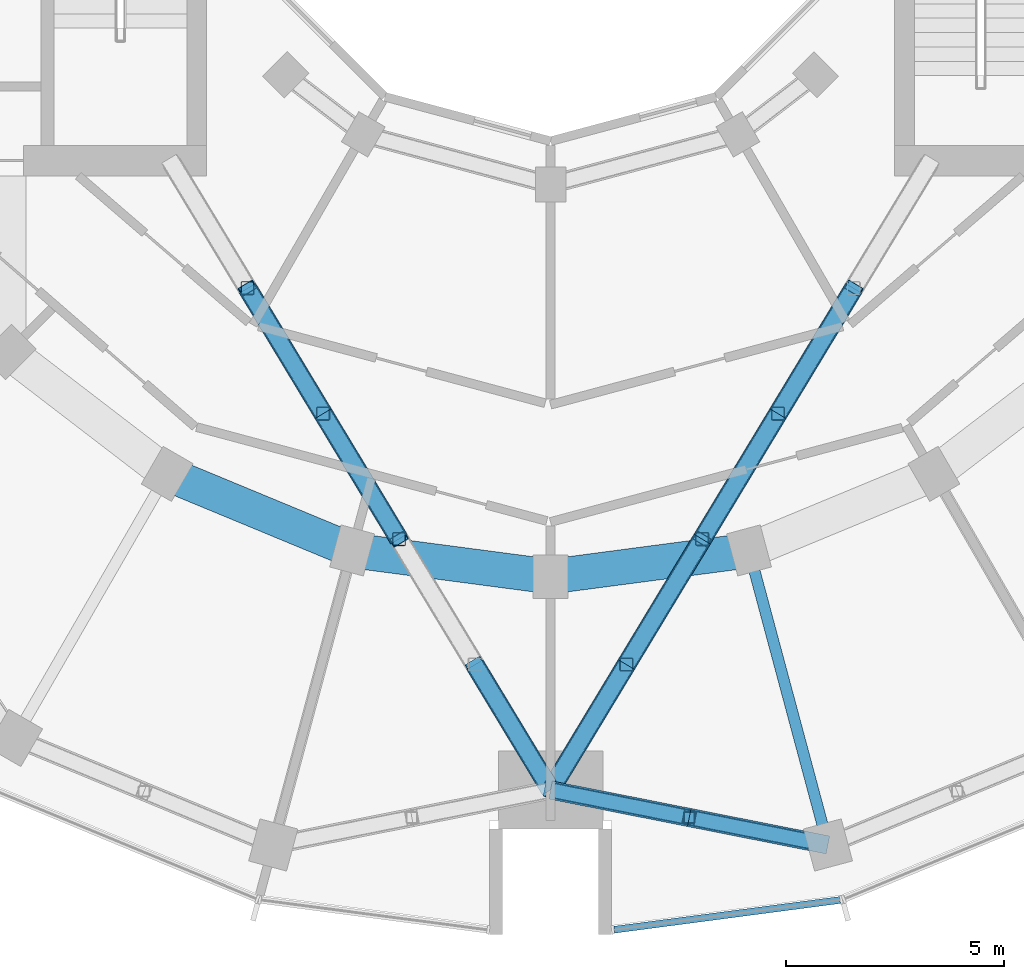
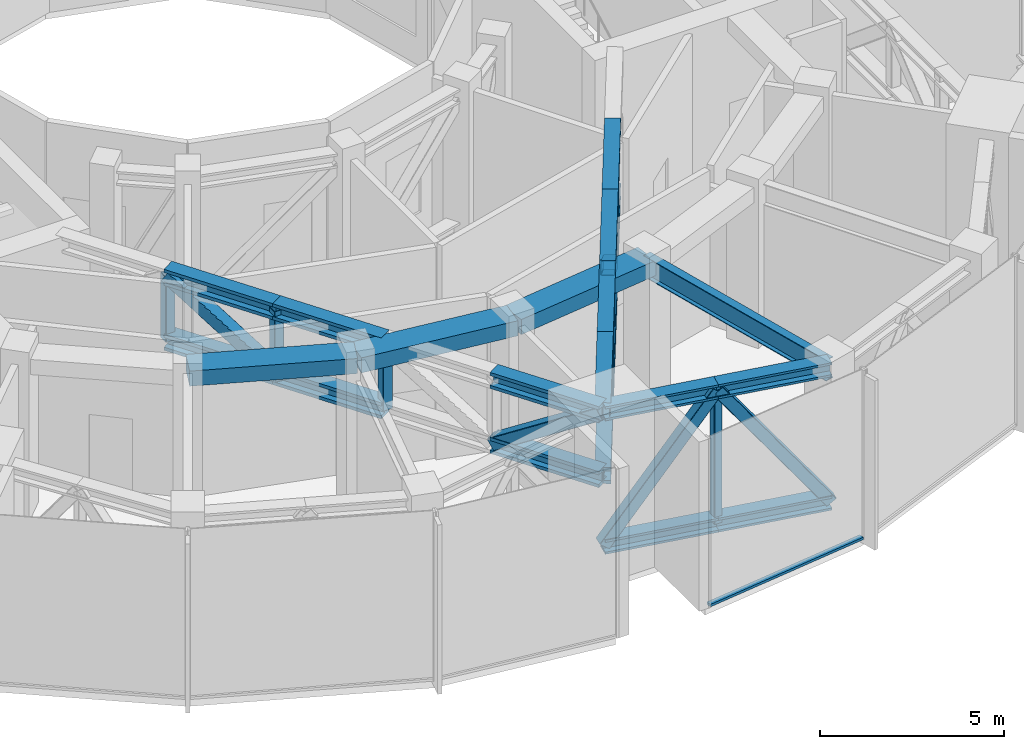
# One storey, part 3 of 18: 35 members, 4 beams, 1 element without a shape of its own.
"""IFC4 building model written with IfcOpenShell, lengths in metres."""

import ifcopenshell
import ifcopenshell.guid

model = None  # the IFC model being written
_history = None  # IfcOwnerHistory: only IFC2X3 demands one
_inside = {}  # id of a spatial element -> (the spatial element, [elements in it])
_under = {}  # id of a project, library or spatial element -> (it, [spatial elements below it])
_declared = {}  # id of a project -> (the project, [libraries it declares])
_typed = {}  # id of a type object -> (the type object, [elements of that type])
_made_of = {}  # id of a material, layer set ... -> (it, [elements and type objects made of it])


def new_model(schema):
    """Start an empty IFC model of exactly this schema.

    Asked for "IFC4X3", IfcOpenShell would pick the latest addendum, in which some entities
    have other attributes; the version numbers below select the first issue.
    IFC2X3 requires an IfcOwnerHistory on every rooted entity: one is made here for all.
    """
    global model, _history
    if schema == "IFC4X3":
        model = ifcopenshell.file(schema_version=(4, 3, 0, 0))
    else:
        model = ifcopenshell.file(schema=schema)
    _inside.clear()
    _under.clear()
    _declared.clear()
    _typed.clear()
    _made_of.clear()
    _history = None
    if model.schema == "IFC2X3":
        org = make("IfcOrganization", Name="unknown")
        user = make(
            "IfcPersonAndOrganization",
            ThePerson=make("IfcPerson", FamilyName="unknown"),
            TheOrganization=org,
        )
        app = make(
            "IfcApplication",
            ApplicationDeveloper=org,
            Version="unknown",
            ApplicationFullName="unknown",
            ApplicationIdentifier="unknown",
        )
        _history = make(
            "IfcOwnerHistory",
            OwningUser=user,
            OwningApplication=app,
            ChangeAction="ADDED",
            CreationDate=0,
        )
    return model


def make(cls, **values):
    """One entity of the class cls with the attributes given. An attribute that is None is left unset."""
    return model.create_entity(
        cls, **{name: value for name, value in values.items() if value is not None}
    )


def rooted(cls, **values):
    """An entity with a GlobalId (a new one), such as an element, a storey or a relation."""
    return make(cls, GlobalId=ifcopenshell.guid.new(), OwnerHistory=_history, **values)


def si_unit(unit_type, name, prefix=None):
    """IfcSIUnit, for example si_unit("LENGTHUNIT", "METRE", prefix="MILLI")."""
    return make("IfcSIUnit", UnitType=unit_type, Prefix=prefix, Name=name)


def assignment(units):
    """IfcUnitAssignment: the units of a project."""
    return None if units is None else make("IfcUnitAssignment", Units=units)


def point(xyz):
    """IfcCartesianPoint."""
    return None if xyz is None else make("IfcCartesianPoint", Coordinates=xyz)


def direction(xyz):
    """IfcDirection."""
    return None if xyz is None else make("IfcDirection", DirectionRatios=xyz)


def frame(location, z_axis=None, x_axis=None):
    """IfcAxis2Placement3D, a coordinate frame: its origin and axes. An axis left out is left unset."""
    return make(
        "IfcAxis2Placement3D",
        Location=point(location),
        Axis=direction(z_axis),
        RefDirection=direction(x_axis),
    )


def frame_2d(location, x_axis=None):
    """IfcAxis2Placement2D, a coordinate frame in the plane: its origin and x axis."""
    return make(
        "IfcAxis2Placement2D", Location=point(location), RefDirection=direction(x_axis)
    )


def origin():
    """The frame at (0, 0, 0) with its axes left unset."""
    return frame((0.0, 0.0, 0.0))


def origin_2d():
    """The frame at (0, 0) in the plane with its x axis left unset."""
    return frame_2d((0.0, 0.0))


def place(relative_to, where):
    """IfcLocalPlacement: puts the frame where relative to a parent placement (None: the world)."""
    return make(
        "IfcLocalPlacement", PlacementRelTo=relative_to, RelativePlacement=where
    )


def context(
    kind, dimensions, precision=None, world=None, true_north=None, identifier=None
):
    """IfcGeometricRepresentationContext, for example the 3D "Model" context."""
    return make(
        "IfcGeometricRepresentationContext",
        ContextIdentifier=identifier,
        ContextType=kind,
        CoordinateSpaceDimension=dimensions,
        Precision=precision,
        WorldCoordinateSystem=world,
        TrueNorth=true_north,
    )


def subcontext(parent, identifier, kind, view, scale=None):
    """IfcGeometricRepresentationSubContext, for example "Body" below "Model"."""
    return make(
        "IfcGeometricRepresentationSubContext",
        ContextIdentifier=identifier,
        ContextType=kind,
        ParentContext=parent,
        TargetScale=scale,
        TargetView=view,
    )


def project(units=None, contexts=None):
    """IfcProject with its units and contexts."""
    return rooted(
        "IfcProject",
        Name="project",
        RepresentationContexts=contexts,
        UnitsInContext=assignment(units),
    )


def spatial(cls, under=None, at=None, **own):
    """A site, building, storey or space (cls), placed at a placement, below another one or the project."""
    s = rooted(cls, ObjectPlacement=at, **own)
    if under is not None:
        _under.setdefault(under.id(), (under, []))[1].append(s)
    return s


def profile(cls, at=None, kind="AREA", **sizes):
    """A parametric profile (cls). Its sizes go by their IFC names, for example OverallWidth=200.0."""
    return make(cls, ProfileType=kind, Position=at, **sizes)


def rectangle(**sizes):
    """IfcRectangleProfileDef."""
    return profile("IfcRectangleProfileDef", **sizes)


def hollow_rectangle(**sizes):
    """IfcRectangleHollowProfileDef."""
    return profile("IfcRectangleHollowProfileDef", **sizes)


def i_section(**sizes):
    """IfcIShapeProfileDef."""
    return profile("IfcIShapeProfileDef", **sizes)


def extrude(swept, where, along, depth):
    """IfcExtrudedAreaSolid: the profile swept, set in the frame where, extruded along a direction by depth."""
    return make(
        "IfcExtrudedAreaSolid",
        SweptArea=swept,
        Position=where,
        ExtrudedDirection=direction(along),
        Depth=depth,
    )


def shape(context_of_items, identifier, shape_type, items):
    """IfcShapeRepresentation: the items that make up one representation, for example the "Body"."""
    return make(
        "IfcShapeRepresentation",
        ContextOfItems=context_of_items,
        RepresentationIdentifier=identifier,
        RepresentationType=shape_type,
        Items=items,
    )


def material(Name=None, Category=None):
    """IfcMaterial."""
    return make("IfcMaterial", Name=Name, Category=Category)


def layer(
    of_material, thickness, ventilated=None, Name=None, Category=None, Priority=None
):
    """IfcMaterialLayer: one layer of a wall or slab, of a material (None: an air gap)."""
    return make(
        "IfcMaterialLayer",
        Material=of_material,
        LayerThickness=thickness,
        IsVentilated=ventilated,
        Name=Name,
        Category=Category,
        Priority=Priority,
    )


def layer_set(layers, Name=None):
    """IfcMaterialLayerSet."""
    return make("IfcMaterialLayerSet", MaterialLayers=layers, LayerSetName=Name)


def material_profile(
    of_material, cross_section, Name=None, Category=None, Priority=None
):
    """IfcMaterialProfile: a cross section and its material."""
    return make(
        "IfcMaterialProfile",
        Name=Name,
        Material=of_material,
        Profile=cross_section,
        Priority=Priority,
        Category=Category,
    )


def profile_set(profiles, Name=None, composite=None):
    """IfcMaterialProfileSet."""
    return make(
        "IfcMaterialProfileSet",
        Name=Name,
        MaterialProfiles=profiles,
        CompositeProfile=composite,
    )


def made_of(thing, what):
    """Note that an element or type object is made of a material, layer set ...; save() writes the relation."""
    if what is not None:
        _made_of.setdefault(what.id(), (what, []))[1].append(thing)
    return thing


def type_object(cls, material=None, **own):
    """A type object (cls), such as IfcWallType, which elements share."""
    return made_of(rooted(cls, **own), material)


def element(
    cls,
    number,
    at=None,
    inside=None,
    cuts=None,
    type_object=None,
    material=None,
    context=None,
    identifier="Body",
    shape_type=None,
    held_by="IfcProductDefinitionShape",
    body=None,
    shapes=None,
    **own,
):
    """One element of the class cls, such as IfcWall. Its Tag is "e" and its number.

    at: its placement. inside: the storey or other place that contains it. cuts: it is an
    opening in that element (IfcRelVoidsElement). A single representation is given by context,
    identifier, shape_type and body (its items); several are given by shapes. held_by: the class
    of the entity that holds the representations. save() writes the other relations.
    """
    e = rooted(cls, Tag="e%d" % number, ObjectPlacement=at, **own)
    if body is not None:
        shapes = [shape(context, identifier, shape_type, body)]
    if shapes is not None:
        e.Representation = make(held_by, Representations=shapes)
    if inside is not None:
        _inside.setdefault(inside.id(), (inside, []))[1].append(e)
    if cuts is not None:
        rooted(
            "IfcRelVoidsElement", RelatingBuildingElement=cuts, RelatedOpeningElement=e
        )
    if type_object is not None:
        _typed.setdefault(type_object.id(), (type_object, []))[1].append(e)
    return made_of(e, material)


def aggregate(whole, parts):
    """IfcRelAggregates: a whole, such as a stair, and the parts it consists of."""
    return rooted("IfcRelAggregates", RelatingObject=whole, RelatedObjects=parts)


def save(model, path):
    """Write the relations noted so far, then the file.

    IfcRelAggregates (storeys below a building ...), IfcRelContainedInSpatialStructure (elements
    in a storey), IfcRelDefinesByType, IfcRelAssociatesMaterial and IfcRelDeclares: one each for
    every whole, place, type object, material and project.
    """
    for whole, parts in _under.values():
        aggregate(whole, parts)
    for where, things in _inside.values():
        rooted(
            "IfcRelContainedInSpatialStructure",
            RelatedElements=things,
            RelatingStructure=where,
        )
    for kind, things in _typed.values():
        rooted("IfcRelDefinesByType", RelatedObjects=things, RelatingType=kind)
    for what, things in _made_of.values():
        rooted("IfcRelAssociatesMaterial", RelatedObjects=things, RelatingMaterial=what)
    for by, libraries in _declared.values():
        rooted("IfcRelDeclares", RelatingContext=by, RelatedDefinitions=libraries)
    model.write(path)


model = new_model("IFC4")

# Units and contexts
model_context = context("Model", 3, precision=1e-05, world=origin(), true_north=direction((0.0, 1.0)))
body_context = subcontext(model_context, "Body", "Model", "MODEL_VIEW")
ifc_project = project(units=[si_unit("LENGTHUNIT", "METRE"), si_unit("AREAUNIT", "SQUARE_METRE"), si_unit("VOLUMEUNIT", "CUBIC_METRE"), si_unit("PLANEANGLEUNIT", "RADIAN"), si_unit("MASSUNIT", "GRAM", prefix="KILO")], contexts=[model_context])

# Site, building, storey
site_placement = place(None, origin())
site = spatial("IfcSite", under=ifc_project, at=site_placement, CompositionType="ELEMENT")
building_placement = place(site_placement, origin())
building = spatial("IfcBuilding", under=site, at=building_placement, Name="Torre Brocal", CompositionType="ELEMENT")
storey_placement = place(building_placement, frame((0.0, 0.0, 109.0)))
storey = spatial("IfcBuildingStorey", under=building, at=storey_placement, Name="L25", CompositionType="ELEMENT", Elevation=109.0)

# Member
ifc_material_1 = material(Name="Steel A500 Grade C", Category="steel")
ifc_material_profile_1 = material_profile(ifc_material_1, hollow_rectangle(XDim=0.25390625, YDim=0.25390625, WallThickness=0.01171875, InnerFilletRadius=0.01171875, OuterFilletRadius=0.023681640625, at=origin_2d()), Name="HSS10X10X1/2")
ifc_profile_set_1 = profile_set([ifc_material_profile_1], Name="Steel A500 Grade C")
member_type_1 = type_object("IfcMemberType", Name="BELT 1 POST HSS10X10X1/2", PredefinedType="POST", material=ifc_profile_set_1)
member_1_placement = place(storey_placement, frame((83.18359375, 51.869140625, 0.63232421875), z_axis=(0.0, 0.0, 1.0), x_axis=(1.0, 0.0, 0.0)))
element("IfcMember", 1, at=member_1_placement, inside=storey, type_object=member_type_1, Name="Member BT1-P15", PredefinedType="POST", context=body_context, shape_type="SweptSolid", body=[
    extrude(hollow_rectangle(XDim=0.25390625, YDim=0.25390625, WallThickness=0.01171875, InnerFilletRadius=0.01171875, OuterFilletRadius=0.023681640625, at=origin_2d()), origin(), (0.0, 0.0, 1.0), 4.415283203125),
])

# Curtain wall, member
ifc_material_2 = material(Name="Aluminium and glass", Category="aluminium")
ifc_layer = layer(ifc_material_2, 0.199951171875)
ifc_layer_set = layer_set([ifc_layer], Name="Aluminium and glass")
curtain_wall_type = type_object("IfcCurtainWallType", Name="CW-1 CURTAIN WALL 5600 HIGH", PredefinedType="NOTDEFINED", material=ifc_layer_set)
curtain_wall_placement = place(storey_placement, origin())
curtain_wall = element("IfcCurtainWall", 2, at=curtain_wall_placement, inside=storey, type_object=curtain_wall_type, Name="CW-1 RUN 19", PredefinedType="NOTDEFINED")
ifc_material_3 = material(Name="Aluminium, dark anodised", Category="aluminium")
ifc_material_profile_2 = material_profile(ifc_material_3, rectangle(XDim=0.159912109375, YDim=0.080078125, at=origin_2d()), Name="CW-1 TRANSOM 160X80")
ifc_profile_set_2 = profile_set([ifc_material_profile_2], Name="Aluminium, dark anodised")
member_type_2 = type_object("IfcMemberType", Name="CW-1 TRANSOM 160X80", PredefinedType="USERDEFINED", material=ifc_profile_set_2)
member_2_placement = place(storey_placement, frame((81.45947265625, 49.29296875, 0.0400390625), z_axis=(0.991442690863, 0.130542677827, 0.0), x_axis=(-0.130542677827, 0.991442690863, 0.0)))
member_2 = element("IfcMember", 3, at=member_2_placement, type_object=member_type_2, Name="CW1-2 transom 1.1", ObjectType="TRANSOM", PredefinedType="USERDEFINED", context=body_context, shape_type="SweptSolid", body=[
    extrude(rectangle(XDim=0.159912109375, YDim=0.080078125, at=origin_2d()), origin(), (0.0, 0.0, 1.0), 5.22900390625),
])
aggregate(curtain_wall, [member_2])

# Members
ifc_material_4 = material(Name="Steel A500 Grade C", Category="steel")
ifc_material_profile_3 = material_profile(ifc_material_4, hollow_rectangle(XDim=0.3046875, YDim=0.3046875, WallThickness=0.014892578125, InnerFilletRadius=0.014892578125, OuterFilletRadius=0.029541015625, at=origin_2d()), Name="HSS12X12X5/8")
ifc_profile_set_3 = profile_set([ifc_material_profile_3], Name="Steel A500 Grade C")
member_type_3 = type_object("IfcMemberType", Name="OUTRIGGER 1 POST HSS12X12X5/8", PredefinedType="POST", material=ifc_profile_set_3)
for number, where, z_axis, x_axis, name in (
    (4, (85.219970703125, 61.139892578125, 2.865478515625), (0.0, 0.0, 1.0), (1.0, 0.0, 0.0), "Member OT1-P16"),
    (5, (83.47998046875, 58.260009765625, 2.865478515625), (0.0, 0.0, 1.0), (1.0, 0.0, 0.0), "Member OT1-P17"),
    (6, (81.739990234375, 55.3798828125, 2.865478515625), (0.0, 0.0, 1.0), (1.0, 0.0, 0.0), "Member OT1-P18"),
    (7, (73.0400390625, 64.02001953125, 2.865478515625), (0.0, 0.0, 1.0), (1.0, 0.0, 0.0), "Member OT1-P19"),
    (8, (74.780029296875, 61.139892578125, 2.865478515625), (0.0, 0.0, 1.0), (1.0, 0.0, 0.0), "Member OT1-P20"),
    (9, (76.52001953125, 58.260009765625, 2.865478515625), (0.0, 0.0, 1.0), (1.0, 0.0, 0.0), "Member OT1-P21"),
):
    element("IfcMember", number, at=place(storey_placement, frame(where, z_axis=z_axis, x_axis=x_axis)), inside=storey, type_object=member_type_3, Name=name, PredefinedType="POST", context=body_context, shape_type="SweptSolid", body=[
        extrude(hollow_rectangle(XDim=0.3046875, YDim=0.3046875, WallThickness=0.014892578125, InnerFilletRadius=0.014892578125, OuterFilletRadius=0.029541015625, at=origin_2d()), origin(), (0.0, 0.0, 1.0), 2.149169921875),
    ])

# Beams
ifc_material_5 = material(Name="Steel A992", Category="steel")
ifc_material_profile_4 = material_profile(ifc_material_5, i_section(OverallWidth=0.256591796875, OverallDepth=0.693359375, WebThickness=0.014404296875, FlangeThickness=0.023681640625, at=origin_2d()), Name="W27X114")
ifc_profile_set_4 = profile_set([ifc_material_profile_4], Name="Steel A992")
beam_type_1 = type_object("IfcBeamType", Name="PLANT FLOOR BEAM TOP 5280 W27X114", PredefinedType="BEAM", material=ifc_profile_set_4)
beam_1_placement = place(storey_placement, frame((84.55517578125, 57.999755859375, 4.933349609375), z_axis=(0.258823832372, -0.965924543531, 0.0), x_axis=(0.965924543531, 0.258823832372, 0.0)))
element("IfcBeam", 10, at=beam_1_placement, inside=storey, type_object=beam_type_1, Name="Beam SF-01", PredefinedType="BEAM", context=body_context, shape_type="SweptSolid", body=[
    extrude(i_section(OverallWidth=0.256591796875, OverallDepth=0.693359375, WebThickness=0.014404296875, FlangeThickness=0.023681640625, at=origin_2d()), origin(), (0.0, 0.0, 1.0), 7.0),
])
ifc_material_6 = material(Name="Concrete C50", Category="concrete")
ifc_material_profile_5 = material_profile(ifc_material_6, rectangle(XDim=0.800048828125, YDim=0.5, at=origin_2d()), Name="RC 800X500")
ifc_profile_set_5 = profile_set([ifc_material_profile_5], Name="Concrete C50")
beam_type_2 = type_object("IfcBeamType", Name="RC BEAM 800X500 C50 TOP 5280", PredefinedType="BEAM", material=ifc_profile_set_5)
beam_2_placement = place(storey_placement, frame((71.199951171875, 59.758056640625, 5.030029296875), z_axis=(0.923878240166, -0.382686552348, 0.0), x_axis=(0.382686552348, 0.923878240166, 0.0)))
element("IfcBeam", 11, at=beam_2_placement, inside=storey, type_object=beam_type_2, Name="Beam BT-27", PredefinedType="BEAM", context=body_context, shape_type="SweptSolid", body=[
    extrude(rectangle(XDim=0.800048828125, YDim=0.5, at=origin_2d()), origin(), (0.0, 0.0, 1.0), 4.5947265625),
])
for number, where, z_axis, x_axis, name in (
    (12, (75.44482421875, 57.999755859375, 5.030029296875), (0.991440544449, -0.130558978332, 0.0), (0.130558978332, 0.991440544449, 0.0), "Beam BT-27"),
    (13, (80.0, 57.39990234375, 5.030029296875), (0.991440544449, 0.130558978332, 0.0), (-0.130558978332, 0.991440544449, 0.0), "Beam BT-27"),
):
    element("IfcBeam", number, at=place(storey_placement, frame(where, z_axis=z_axis, x_axis=x_axis)), inside=storey, type_object=beam_type_2, Name=name, PredefinedType="BEAM", context=body_context, shape_type="SweptSolid", body=[
        extrude(rectangle(XDim=0.800048828125, YDim=0.5, at=origin_2d()), origin(), (0.0, 0.0, 1.0), 4.594482421875),
    ])

# Members
ifc_material_7 = material(Name="Steel A992", Category="steel")
ifc_material_profile_6 = material_profile(ifc_material_7, i_section(OverallWidth=0.421630859375, OverallDepth=0.46484375, WebThickness=0.044921875, FlangeThickness=0.072509765625, at=origin_2d()), Name="W14X398")
ifc_profile_set_6 = profile_set([ifc_material_profile_6], Name="Steel A992")
member_type_4 = type_object("IfcMemberType", Name="TRUSS BOTTOM CHORD W14X398", PredefinedType="CHORD", material=ifc_profile_set_6)
member_3_placement = place(storey_placement, frame((80.0, 52.5, 0.63232421875), z_axis=(0.980926328685, -0.194379879856, 0.0), x_axis=(0.194379879856, 0.980926328685, 0.0)))
element("IfcMember", 14, at=member_3_placement, inside=storey, type_object=member_type_4, Name="Member BT1-C54", PredefinedType="CHORD", context=body_context, shape_type="SweptSolid", body=[
    extrude(i_section(OverallWidth=0.421630859375, OverallDepth=0.46484375, WebThickness=0.044921875, FlangeThickness=0.072509765625, at=origin_2d()), origin(), (0.0, 0.0, 1.0), 3.24560546875),
])
member_4_placement = place(storey_placement, frame((83.18359375, 51.869140625, 0.63232421875), z_axis=(0.980923486126, -0.194394224108, 0.0), x_axis=(0.194394224108, 0.980923486126, 0.0)))
element("IfcMember", 15, at=member_4_placement, inside=storey, type_object=member_type_4, Name="Member BT1-C56", PredefinedType="CHORD", context=body_context, shape_type="SweptSolid", body=[
    extrude(i_section(OverallWidth=0.421630859375, OverallDepth=0.46484375, WebThickness=0.044921875, FlangeThickness=0.072509765625, at=origin_2d()), origin(), (0.0, 0.0, 1.0), 3.245361328125),
])
ifc_material_8 = material(Name="Steel A992", Category="steel")
ifc_material_profile_7 = material_profile(ifc_material_8, i_section(OverallWidth=0.44189453125, OverallDepth=0.531005859375, WebThickness=0.06591796875, FlangeThickness=0.105712890625, at=origin_2d()), Name="W14X605")
ifc_profile_set_7 = profile_set([ifc_material_profile_7], Name="Steel A992")
member_type_5 = type_object("IfcMemberType", Name="TRUSS BOTTOM CHORD W14X605", PredefinedType="CHORD", material=ifc_profile_set_7)
member_5_placement = place(storey_placement, frame((86.9599609375, 64.02001953125, 2.865478515625), z_axis=(-0.517096814817, -0.855926915167, 0.0), x_axis=(0.855926915167, -0.517096814817, 0.0)))
element("IfcMember", 16, at=member_5_placement, inside=storey, type_object=member_type_5, Name="Member OT1-C42", PredefinedType="CHORD", context=body_context, shape_type="SweptSolid", body=[
    extrude(i_section(OverallWidth=0.44189453125, OverallDepth=0.531005859375, WebThickness=0.06591796875, FlangeThickness=0.105712890625, at=origin_2d()), origin(), (0.0, 0.0, 1.0), 3.364990234375),
])
member_6_placement = place(storey_placement, frame((85.219970703125, 61.139892578125, 2.865478515625), z_axis=(-0.517128928912, -0.855907513042, 0.0), x_axis=(0.855907513042, -0.517128928912, 0.0)))
element("IfcMember", 17, at=member_6_placement, inside=storey, type_object=member_type_5, Name="Member OT1-C44", PredefinedType="CHORD", context=body_context, shape_type="SweptSolid", body=[
    extrude(i_section(OverallWidth=0.44189453125, OverallDepth=0.531005859375, WebThickness=0.06591796875, FlangeThickness=0.105712890625, at=origin_2d()), origin(), (0.0, 0.0, 1.0), 3.36474609375),
])
member_7_placement = place(storey_placement, frame((83.47998046875, 58.260009765625, 2.865478515625), z_axis=(-0.517096814817, -0.855926915167, 0.0), x_axis=(0.855926915167, -0.517096814817, 0.0)))
element("IfcMember", 18, at=member_7_placement, inside=storey, type_object=member_type_5, Name="Member OT1-C46", PredefinedType="CHORD", context=body_context, shape_type="SweptSolid", body=[
    extrude(i_section(OverallWidth=0.44189453125, OverallDepth=0.531005859375, WebThickness=0.06591796875, FlangeThickness=0.105712890625, at=origin_2d()), origin(), (0.0, 0.0, 1.0), 3.364990234375),
])
member_8_placement = place(storey_placement, frame((81.739990234375, 55.3798828125, 2.865478515625), z_axis=(-0.517128928912, -0.855907513042, 0.0), x_axis=(0.855907513042, -0.517128928912, 0.0)))
element("IfcMember", 19, at=member_8_placement, inside=storey, type_object=member_type_5, Name="Member OT1-C48", PredefinedType="CHORD", context=body_context, shape_type="SweptSolid", body=[
    extrude(i_section(OverallWidth=0.44189453125, OverallDepth=0.531005859375, WebThickness=0.06591796875, FlangeThickness=0.105712890625, at=origin_2d()), origin(), (0.0, 0.0, 1.0), 3.36474609375),
])
member_9_placement = place(storey_placement, frame((73.0400390625, 64.02001953125, 2.865478515625), z_axis=(0.517096814817, -0.855926915167, 0.0), x_axis=(0.855926915167, 0.517096814817, 0.0)))
element("IfcMember", 20, at=member_9_placement, inside=storey, type_object=member_type_5, Name="Member OT1-C52", PredefinedType="CHORD", context=body_context, shape_type="SweptSolid", body=[
    extrude(i_section(OverallWidth=0.44189453125, OverallDepth=0.531005859375, WebThickness=0.06591796875, FlangeThickness=0.105712890625, at=origin_2d()), origin(), (0.0, 0.0, 1.0), 3.364990234375),
])
for number, where, z_axis, x_axis, name in (
    (21, (74.780029296875, 61.139892578125, 2.865478515625), (0.517128928912, -0.855907513042, 0.0), (0.855907513042, 0.517128928912, 0.0), "Member OT1-C54"),
    (22, (78.260009765625, 55.3798828125, 2.865478515625), (0.517128928912, -0.855907513042, 0.0), (0.855907513042, 0.517128928912, 0.0), "Member OT1-C58"),
):
    element("IfcMember", number, at=place(storey_placement, frame(where, z_axis=z_axis, x_axis=x_axis)), inside=storey, type_object=member_type_5, Name=name, PredefinedType="CHORD", context=body_context, shape_type="SweptSolid", body=[
        extrude(i_section(OverallWidth=0.44189453125, OverallDepth=0.531005859375, WebThickness=0.06591796875, FlangeThickness=0.105712890625, at=origin_2d()), origin(), (0.0, 0.0, 1.0), 3.36474609375),
    ])
ifc_material_9 = material(Name="Steel A500 Grade C", Category="steel")
ifc_material_profile_8 = material_profile(ifc_material_9, hollow_rectangle(XDim=0.355712890625, YDim=0.355712890625, WallThickness=0.014892578125, InnerFilletRadius=0.014892578125, OuterFilletRadius=0.029541015625, at=origin_2d()), Name="HSS14X14X5/8")
ifc_profile_set_8 = profile_set([ifc_material_profile_8], Name="Steel A500 Grade C")
member_type_6 = type_object("IfcMemberType", Name="TRUSS DIAGONAL HSS14X14X5/8", PredefinedType="BRACE", material=ifc_profile_set_8)
for number, where, z_axis, x_axis, name in (
    (23, (80.0, 52.5, 0.63232421875), (0.580971188559, -0.115124965586, 0.805741100083), (0.194379879856, 0.980926328685, 0.0), "Member BT1-D27"),
    (24, (83.18359375, 51.869140625, 5.047607421875), (0.580941672273, -0.115127945483, -0.805761955906), (0.194394224108, 0.980923486126, 0.0), "Member BT1-D28"),
):
    element("IfcMember", number, at=place(storey_placement, frame(where, z_axis=z_axis, x_axis=x_axis)), inside=storey, type_object=member_type_6, Name=name, PredefinedType="BRACE", context=body_context, shape_type="SweptSolid", body=[
        extrude(hollow_rectangle(XDim=0.355712890625, YDim=0.355712890625, WallThickness=0.014892578125, InnerFilletRadius=0.014892578125, OuterFilletRadius=0.029541015625, at=origin_2d()), origin(), (0.0, 0.0, 1.0), 5.479736328125),
    ])
ifc_material_10 = material(Name="Steel A500 Grade C", Category="steel")
ifc_material_profile_9 = material_profile(ifc_material_10, hollow_rectangle(XDim=0.406494140625, YDim=0.406494140625, WallThickness=0.017578125, InnerFilletRadius=0.017578125, OuterFilletRadius=0.035400390625, at=origin_2d()), Name="HSS16X16X3/4")
ifc_profile_set_9 = profile_set([ifc_material_profile_9], Name="Steel A500 Grade C")
member_type_7 = type_object("IfcMemberType", Name="TRUSS DIAGONAL HSS16X16X3/4", PredefinedType="BRACE", material=ifc_profile_set_9)
member_10_placement = place(storey_placement, frame((86.9599609375, 64.02001953125, 5.0146484375), z_axis=(-0.435793217596, -0.721348756557, -0.538275248281), x_axis=(0.855926915167, -0.517096814817, 0.0)))
element("IfcMember", 25, at=member_10_placement, inside=storey, type_object=member_type_7, Name="Member OT1-D21", PredefinedType="BRACE", context=body_context, shape_type="SweptSolid", body=[
    extrude(hollow_rectangle(XDim=0.406494140625, YDim=0.406494140625, WallThickness=0.017578125, InnerFilletRadius=0.017578125, OuterFilletRadius=0.035400390625, at=origin_2d()), origin(), (0.0, 0.0, 1.0), 3.99267578125),
])
member_11_placement = place(storey_placement, frame((85.219970703125, 61.139892578125, 2.865478515625), z_axis=(-0.435812440092, -0.72131942519, 0.538298991179), x_axis=(0.855907513042, -0.517128928912, 0.0)))
element("IfcMember", 26, at=member_11_placement, inside=storey, type_object=member_type_7, Name="Member OT1-D22", PredefinedType="BRACE", context=body_context, shape_type="SweptSolid", body=[
    extrude(hollow_rectangle(XDim=0.406494140625, YDim=0.406494140625, WallThickness=0.017578125, InnerFilletRadius=0.017578125, OuterFilletRadius=0.035400390625, at=origin_2d()), origin(), (0.0, 0.0, 1.0), 3.992431640625),
])
member_12_placement = place(storey_placement, frame((83.47998046875, 58.260009765625, 5.0146484375), z_axis=(-0.435793217596, -0.721348756557, -0.538275248281), x_axis=(0.855926915167, -0.517096814817, 0.0)))
element("IfcMember", 27, at=member_12_placement, inside=storey, type_object=member_type_7, Name="Member OT1-D23", PredefinedType="BRACE", context=body_context, shape_type="SweptSolid", body=[
    extrude(hollow_rectangle(XDim=0.406494140625, YDim=0.406494140625, WallThickness=0.017578125, InnerFilletRadius=0.017578125, OuterFilletRadius=0.035400390625, at=origin_2d()), origin(), (0.0, 0.0, 1.0), 3.99267578125),
])
member_13_placement = place(storey_placement, frame((81.739990234375, 55.3798828125, 2.865478515625), z_axis=(-0.435812440092, -0.72131942519, 0.538298991179), x_axis=(0.855907513042, -0.517128928912, 0.0)))
element("IfcMember", 28, at=member_13_placement, inside=storey, type_object=member_type_7, Name="Member OT1-D24", PredefinedType="BRACE", context=body_context, shape_type="SweptSolid", body=[
    extrude(hollow_rectangle(XDim=0.406494140625, YDim=0.406494140625, WallThickness=0.017578125, InnerFilletRadius=0.017578125, OuterFilletRadius=0.035400390625, at=origin_2d()), origin(), (0.0, 0.0, 1.0), 3.992431640625),
])
member_14_placement = place(storey_placement, frame((73.0400390625, 64.02001953125, 5.0146484375), z_axis=(0.435793217596, -0.721348756557, -0.538275248281), x_axis=(0.855926915167, 0.517096814817, 0.0)))
element("IfcMember", 29, at=member_14_placement, inside=storey, type_object=member_type_7, Name="Member OT1-D26", PredefinedType="BRACE", context=body_context, shape_type="SweptSolid", body=[
    extrude(hollow_rectangle(XDim=0.406494140625, YDim=0.406494140625, WallThickness=0.017578125, InnerFilletRadius=0.017578125, OuterFilletRadius=0.035400390625, at=origin_2d()), origin(), (0.0, 0.0, 1.0), 3.99267578125),
])
for number, where, z_axis, x_axis, name in (
    (30, (74.780029296875, 61.139892578125, 2.865478515625), (0.435812440092, -0.72131942519, 0.538298991179), (0.855907513042, 0.517128928912, 0.0), "Member OT1-D27"),
    (31, (78.260009765625, 55.3798828125, 2.865478515625), (0.435812440092, -0.72131942519, 0.538298991179), (0.855907513042, 0.517128928912, 0.0), "Member OT1-D29"),
):
    element("IfcMember", number, at=place(storey_placement, frame(where, z_axis=z_axis, x_axis=x_axis)), inside=storey, type_object=member_type_7, Name=name, PredefinedType="BRACE", context=body_context, shape_type="SweptSolid", body=[
        extrude(hollow_rectangle(XDim=0.406494140625, YDim=0.406494140625, WallThickness=0.017578125, InnerFilletRadius=0.017578125, OuterFilletRadius=0.035400390625, at=origin_2d()), origin(), (0.0, 0.0, 1.0), 3.992431640625),
    ])
ifc_material_11 = material(Name="Steel A992", Category="steel")
ifc_material_profile_10 = material_profile(ifc_material_11, i_section(OverallWidth=0.421630859375, OverallDepth=0.46484375, WebThickness=0.044921875, FlangeThickness=0.072509765625, at=origin_2d()), Name="W14X398")
ifc_profile_set_10 = profile_set([ifc_material_profile_10], Name="Steel A992")
member_type_8 = type_object("IfcMemberType", Name="TRUSS TOP CHORD W14X398", PredefinedType="CHORD", material=ifc_profile_set_10)
member_15_placement = place(storey_placement, frame((80.0, 52.5, 5.047607421875), z_axis=(0.980926328685, -0.194379879856, 0.0), x_axis=(0.194379879856, 0.980926328685, 0.0)))
element("IfcMember", 32, at=member_15_placement, inside=storey, type_object=member_type_8, Name="Member BT1-C53", PredefinedType="CHORD", context=body_context, shape_type="SweptSolid", body=[
    extrude(i_section(OverallWidth=0.421630859375, OverallDepth=0.46484375, WebThickness=0.044921875, FlangeThickness=0.072509765625, at=origin_2d()), origin(), (0.0, 0.0, 1.0), 3.24560546875),
])
member_16_placement = place(storey_placement, frame((83.18359375, 51.869140625, 5.047607421875), z_axis=(0.980923486126, -0.194394224108, 0.0), x_axis=(0.194394224108, 0.980923486126, 0.0)))
element("IfcMember", 33, at=member_16_placement, inside=storey, type_object=member_type_8, Name="Member BT1-C55", PredefinedType="CHORD", context=body_context, shape_type="SweptSolid", body=[
    extrude(i_section(OverallWidth=0.421630859375, OverallDepth=0.46484375, WebThickness=0.044921875, FlangeThickness=0.072509765625, at=origin_2d()), origin(), (0.0, 0.0, 1.0), 3.245361328125),
])
ifc_material_12 = material(Name="Steel A992", Category="steel")
ifc_material_profile_11 = material_profile(ifc_material_12, i_section(OverallWidth=0.44189453125, OverallDepth=0.531005859375, WebThickness=0.06591796875, FlangeThickness=0.105712890625, at=origin_2d()), Name="W14X605")
ifc_profile_set_11 = profile_set([ifc_material_profile_11], Name="Steel A992")
member_type_9 = type_object("IfcMemberType", Name="TRUSS TOP CHORD W14X605", PredefinedType="CHORD", material=ifc_profile_set_11)
member_17_placement = place(storey_placement, frame((86.9599609375, 64.02001953125, 5.0146484375), z_axis=(-0.517096814817, -0.855926915167, 0.0), x_axis=(0.855926915167, -0.517096814817, 0.0)))
element("IfcMember", 34, at=member_17_placement, inside=storey, type_object=member_type_9, Name="Member OT1-C41", PredefinedType="CHORD", context=body_context, shape_type="SweptSolid", body=[
    extrude(i_section(OverallWidth=0.44189453125, OverallDepth=0.531005859375, WebThickness=0.06591796875, FlangeThickness=0.105712890625, at=origin_2d()), origin(), (0.0, 0.0, 1.0), 3.364990234375),
])
member_18_placement = place(storey_placement, frame((85.219970703125, 61.139892578125, 5.0146484375), z_axis=(-0.517128928912, -0.855907513042, 0.0), x_axis=(0.855907513042, -0.517128928912, 0.0)))
element("IfcMember", 35, at=member_18_placement, inside=storey, type_object=member_type_9, Name="Member OT1-C43", PredefinedType="CHORD", context=body_context, shape_type="SweptSolid", body=[
    extrude(i_section(OverallWidth=0.44189453125, OverallDepth=0.531005859375, WebThickness=0.06591796875, FlangeThickness=0.105712890625, at=origin_2d()), origin(), (0.0, 0.0, 1.0), 3.36474609375),
])
member_19_placement = place(storey_placement, frame((83.47998046875, 58.260009765625, 5.0146484375), z_axis=(-0.517096814817, -0.855926915167, 0.0), x_axis=(0.855926915167, -0.517096814817, 0.0)))
element("IfcMember", 36, at=member_19_placement, inside=storey, type_object=member_type_9, Name="Member OT1-C45", PredefinedType="CHORD", context=body_context, shape_type="SweptSolid", body=[
    extrude(i_section(OverallWidth=0.44189453125, OverallDepth=0.531005859375, WebThickness=0.06591796875, FlangeThickness=0.105712890625, at=origin_2d()), origin(), (0.0, 0.0, 1.0), 3.364990234375),
])
member_20_placement = place(storey_placement, frame((81.739990234375, 55.3798828125, 5.0146484375), z_axis=(-0.517128928912, -0.855907513042, 0.0), x_axis=(0.855907513042, -0.517128928912, 0.0)))
element("IfcMember", 37, at=member_20_placement, inside=storey, type_object=member_type_9, Name="Member OT1-C47", PredefinedType="CHORD", context=body_context, shape_type="SweptSolid", body=[
    extrude(i_section(OverallWidth=0.44189453125, OverallDepth=0.531005859375, WebThickness=0.06591796875, FlangeThickness=0.105712890625, at=origin_2d()), origin(), (0.0, 0.0, 1.0), 3.36474609375),
])
member_21_placement = place(storey_placement, frame((73.0400390625, 64.02001953125, 5.0146484375), z_axis=(0.517096814817, -0.855926915167, 0.0), x_axis=(0.855926915167, 0.517096814817, 0.0)))
element("IfcMember", 38, at=member_21_placement, inside=storey, type_object=member_type_9, Name="Member OT1-C51", PredefinedType="CHORD", context=body_context, shape_type="SweptSolid", body=[
    extrude(i_section(OverallWidth=0.44189453125, OverallDepth=0.531005859375, WebThickness=0.06591796875, FlangeThickness=0.105712890625, at=origin_2d()), origin(), (0.0, 0.0, 1.0), 3.364990234375),
])
for number, where, z_axis, x_axis, name in (
    (39, (74.780029296875, 61.139892578125, 5.0146484375), (0.517128928912, -0.855907513042, 0.0), (0.855907513042, 0.517128928912, 0.0), "Member OT1-C53"),
    (40, (78.260009765625, 55.3798828125, 5.0146484375), (0.517128928912, -0.855907513042, 0.0), (0.855907513042, 0.517128928912, 0.0), "Member OT1-C57"),
):
    element("IfcMember", number, at=place(storey_placement, frame(where, z_axis=z_axis, x_axis=x_axis)), inside=storey, type_object=member_type_9, Name=name, PredefinedType="CHORD", context=body_context, shape_type="SweptSolid", body=[
        extrude(i_section(OverallWidth=0.44189453125, OverallDepth=0.531005859375, WebThickness=0.06591796875, FlangeThickness=0.105712890625, at=origin_2d()), origin(), (0.0, 0.0, 1.0), 3.36474609375),
    ])

save(model, "model.ifc")
